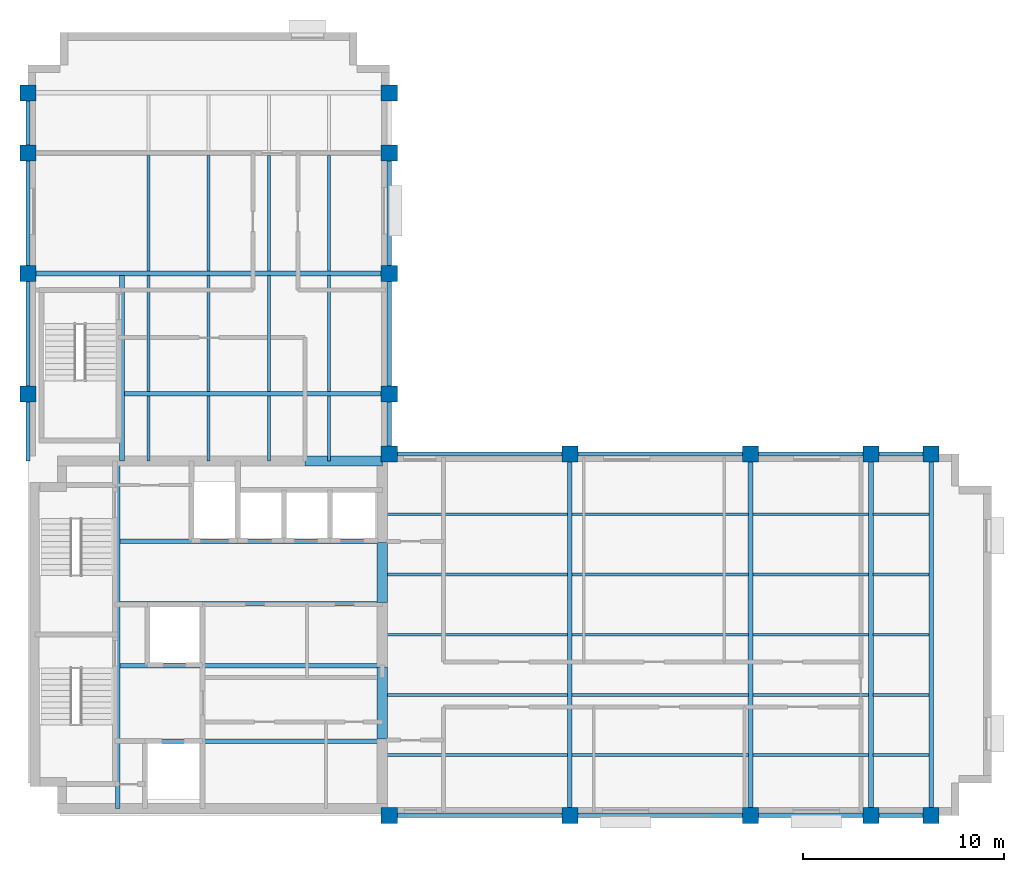
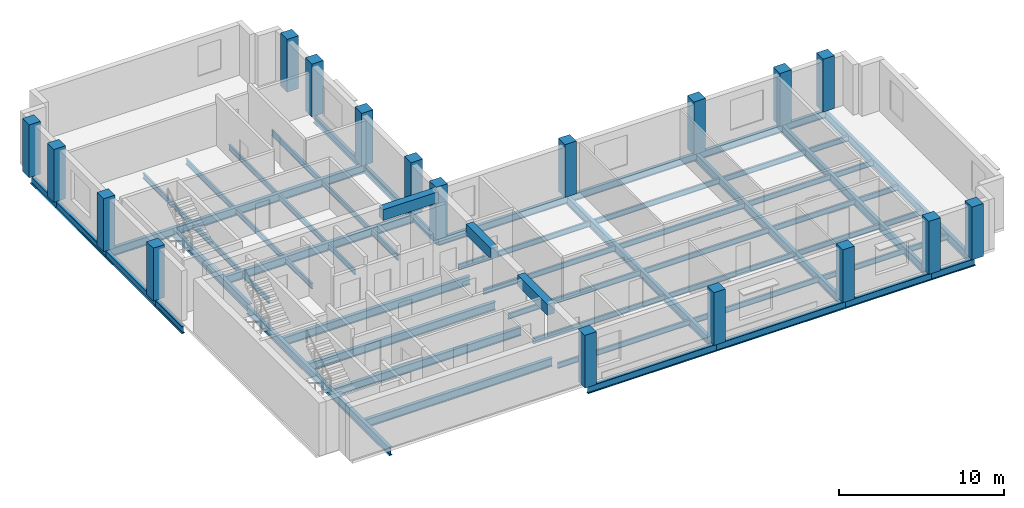
# One storey, part 1 of 6: 62 beams, 18 columns.
"""IFC4 building model written with IfcOpenShell, lengths in metres."""

from ifc_helpers import new_model, si_unit, direction, frame, origin, origin_2d, place, context, subcontext, project, spatial, rectangle, i_section, extrude, material, material_profile, profile_set, type_object, element, save


model = new_model("IFC4")

# Units and contexts
model_context = context("Model", 3, precision=1e-05, world=origin(), true_north=direction((0.0, 1.0)))
body_context = subcontext(model_context, "Body", "Model", "MODEL_VIEW")
ifc_project = project(units=[si_unit("LENGTHUNIT", "METRE"), si_unit("AREAUNIT", "SQUARE_METRE"), si_unit("VOLUMEUNIT", "CUBIC_METRE"), si_unit("PLANEANGLEUNIT", "RADIAN"), si_unit("MASSUNIT", "GRAM", prefix="KILO")], contexts=[model_context])

# Site, building, storey
site_placement = place(None, origin())
site = spatial("IfcSite", under=ifc_project, at=site_placement, CompositionType="ELEMENT")
building_placement = place(site_placement, origin())
building = spatial("IfcBuilding", under=site, at=building_placement, Name="Mawjdan Bourse Tower", CompositionType="ELEMENT")
storey_placement = place(building_placement, frame((0.0, 0.0, 231.300048828125)))
storey = spatial("IfcBuildingStorey", under=building, at=storey_placement, Name="L56", CompositionType="ELEMENT", Elevation=231.300048828125)

# Columns
ifc_material_1 = material(Name="Concrete C60/75", Category="concrete")
ifc_material_profile_1 = material_profile(ifc_material_1, rectangle(XDim=0.800048828125, YDim=0.800048828125, at=origin_2d()), Name="RC800X800")
ifc_profile_set_1 = profile_set([ifc_material_profile_1], Name="Concrete C60/75")
column_type = type_object("IfcColumnType", Name="COL-RC800X800", PredefinedType="COLUMN", material=ifc_profile_set_1)
for number, where, z_axis, x_axis, name in (
    (1, (24.0, 3.0, 0.0), (0.0, 0.0, 1.0), (1.0, 0.0, 0.0), "L56 Structural Column C-X240-Y30"),
    (2, (24.0, 21.0, 0.0), (0.0, 0.0, 1.0), (1.0, 0.0, 0.0), "L56 Structural Column C-X240-Y210"),
    (3, (33.0, 3.0, 0.0), (0.0, 0.0, 1.0), (1.0, 0.0, 0.0), "L56 Structural Column C-X330-Y30"),
    (4, (33.0, 21.0, 0.0), (0.0, 0.0, 1.0), (1.0, 0.0, 0.0), "L56 Structural Column C-X330-Y210"),
    (5, (42.0, 3.0, 0.0), (0.0, 0.0, 1.0), (1.0, 0.0, 0.0), "L56 Structural Column C-X420-Y30"),
    (6, (42.0, 21.0, 0.0), (0.0, 0.0, 1.0), (1.0, 0.0, 0.0), "L56 Structural Column C-X420-Y210"),
    (7, (48.0, 3.0, 0.0), (0.0, 0.0, 1.0), (1.0, 0.0, 0.0), "L56 Structural Column C-X480-Y30"),
    (8, (48.0, 21.0, 0.0), (0.0, 0.0, 1.0), (1.0, 0.0, 0.0), "L56 Structural Column C-X480-Y210"),
    (9, (51.0, 3.0, 0.0), (0.0, 0.0, 1.0), (1.0, 0.0, 0.0), "L56 Structural Column C-X510-Y30"),
    (10, (51.0, 21.0, 0.0), (0.0, 0.0, 1.0), (1.0, 0.0, 0.0), "L56 Structural Column C-X510-Y210"),
    (11, (6.0, 24.0, 0.0), (0.0, 0.0, 1.0), (1.0, 0.0, 0.0), "L56 Structural Column C-X60-Y240"),
    (12, (24.0, 24.0, 0.0), (0.0, 0.0, 1.0), (1.0, 0.0, 0.0), "L56 Structural Column C-X240-Y240"),
    (13, (6.0, 30.0, 0.0), (0.0, 0.0, 1.0), (1.0, 0.0, 0.0), "L56 Structural Column C-X60-Y300"),
    (14, (24.0, 30.0, 0.0), (0.0, 0.0, 1.0), (1.0, 0.0, 0.0), "L56 Structural Column C-X240-Y300"),
    (15, (6.0, 36.0, 0.0), (0.0, 0.0, 1.0), (1.0, 0.0, 0.0), "L56 Structural Column C-X60-Y360"),
    (16, (24.0, 36.0, 0.0), (0.0, 0.0, 1.0), (1.0, 0.0, 0.0), "L56 Structural Column C-X240-Y360"),
    (17, (6.0, 39.0, 0.0), (0.0, 0.0, 1.0), (1.0, 0.0, 0.0), "L56 Structural Column C-X60-Y390"),
    (18, (24.0, 39.0, 0.0), (0.0, 0.0, 1.0), (1.0, 0.0, 0.0), "L56 Structural Column C-X240-Y390"),
):
    element("IfcColumn", number, at=place(storey_placement, frame(where, z_axis=z_axis, x_axis=x_axis)), inside=storey, type_object=column_type, Name=name, PredefinedType="COLUMN", context=body_context, shape_type="SweptSolid", body=[
        extrude(rectangle(XDim=0.800048828125, YDim=0.800048828125, at=origin_2d()), origin(), (0.0, 0.0, 1.0), 3.89990234375),
    ])

# Beams
ifc_material_2 = material(Name="Structural Steel S355", Category="steel")
ifc_material_profile_2 = material_profile(ifc_material_2, i_section(OverallWidth=0.22998046875, OverallDepth=0.616943359375, WebThickness=0.01318359375, FlangeThickness=0.022216796875, FilletRadius=0.017822265625, at=origin_2d()), Name="W24X94")
ifc_profile_set_2 = profile_set([ifc_material_profile_2], Name="Structural Steel S355")
beam_type_1 = type_object("IfcBeamType", Name="GRD-W24X94", PredefinedType="BEAM", material=ifc_profile_set_2)
beam_1_placement = place(storey_placement, frame((10.47998046875, 3.35009765625, -0.508544921875), z_axis=(0.0, 1.0, 0.0), x_axis=(-1.0, 0.0, 0.0)))
element("IfcBeam", 19, at=beam_1_placement, inside=storey, type_object=beam_type_1, Name="L56 Core Stair Trimmer Girder 001", PredefinedType="BEAM", context=body_context, shape_type="SweptSolid", body=[
    extrude(i_section(OverallWidth=0.22998046875, OverallDepth=0.616943359375, WebThickness=0.01318359375, FlangeThickness=0.022216796875, FilletRadius=0.017822265625, at=origin_2d()), origin(), (0.0, 0.0, 1.0), 17.2998046875),
])
for number, where, z_axis, x_axis, name in (
    (20, (33.0, 3.0, -0.508544921875), (0.0, 1.0, 0.0), (-1.0, 0.0, 0.0), "L56 East Wing Clear-Span Girder 002"),
    (21, (42.0, 3.0, -0.508544921875), (0.0, 1.0, 0.0), (-1.0, 0.0, 0.0), "L56 East Wing Clear-Span Girder 003"),
    (22, (48.0, 3.0, -0.508544921875), (0.0, 1.0, 0.0), (-1.0, 0.0, 0.0), "L56 East Wing Clear-Span Girder 004"),
    (23, (51.0, 3.0, -0.508544921875), (0.0, 1.0, 0.0), (-1.0, 0.0, 0.0), "L56 East Wing Clear-Span Girder 005"),
):
    element("IfcBeam", number, at=place(storey_placement, frame(where, z_axis=z_axis, x_axis=x_axis)), inside=storey, type_object=beam_type_1, Name=name, PredefinedType="BEAM", context=body_context, shape_type="SweptSolid", body=[
        extrude(i_section(OverallWidth=0.22998046875, OverallDepth=0.616943359375, WebThickness=0.01318359375, FlangeThickness=0.022216796875, FilletRadius=0.017822265625, at=origin_2d()), origin(), (0.0, 0.0, 1.0), 18.0),
    ])
beam_2_placement = place(storey_placement, frame((10.679931640625, 20.64990234375, -0.508544921875), z_axis=(0.0, 1.0, 0.0), x_axis=(-1.0, 0.0, 0.0)))
element("IfcBeam", 24, at=beam_2_placement, inside=storey, type_object=beam_type_1, Name="L56 North Wing Stair Trimmer Girder 038", PredefinedType="BEAM", context=body_context, shape_type="SweptSolid", body=[
    extrude(i_section(OverallWidth=0.22998046875, OverallDepth=0.616943359375, WebThickness=0.01318359375, FlangeThickness=0.022216796875, FilletRadius=0.017822265625, at=origin_2d()), origin(), (0.0, 0.0, 1.0), 9.237060546875),
])
beam_3_placement = place(storey_placement, frame((10.79296875, 24.0, -0.508544921875), z_axis=(1.0, 0.0, 0.0), x_axis=(0.0, 1.0, 0.0)))
element("IfcBeam", 25, at=beam_3_placement, inside=storey, type_object=beam_type_1, Name="L56 North Wing Clear-Span Girder 039", PredefinedType="BEAM", context=body_context, shape_type="SweptSolid", body=[
    extrude(i_section(OverallWidth=0.22998046875, OverallDepth=0.616943359375, WebThickness=0.01318359375, FlangeThickness=0.022216796875, FilletRadius=0.017822265625, at=origin_2d()), origin(), (0.0, 0.0, 1.0), 13.20703125),
])
beam_4_placement = place(storey_placement, frame((6.0, 30.0, -0.508544921875), z_axis=(1.0, 0.0, 0.0), x_axis=(0.0, 1.0, 0.0)))
element("IfcBeam", 26, at=beam_4_placement, inside=storey, type_object=beam_type_1, Name="L56 North Wing Clear-Span Girder 040", PredefinedType="BEAM", context=body_context, shape_type="SweptSolid", body=[
    extrude(i_section(OverallWidth=0.22998046875, OverallDepth=0.616943359375, WebThickness=0.01318359375, FlangeThickness=0.022216796875, FilletRadius=0.017822265625, at=origin_2d()), origin(), (0.0, 0.0, 1.0), 18.0),
])
ifc_material_profile_3 = material_profile(ifc_material_2, i_section(OverallWidth=0.139892578125, OverallDepth=0.404052734375, WebThickness=0.007080078125, FlangeThickness=0.01123046875, FilletRadius=0.009033203125, at=origin_2d()), Name="W16X31")
ifc_profile_set_3 = profile_set([ifc_material_profile_3], Name="Structural Steel S355")
beam_type_2 = type_object("IfcBeamType", Name="JST-W16X31", PredefinedType="JOIST", material=ifc_profile_set_3)
beam_5_placement = place(storey_placement, frame((23.64990234375, 6.0, -0.402099609375), z_axis=(1.0, 0.0, 0.0), x_axis=(0.0, 1.0, 0.0)))
element("IfcBeam", 27, at=beam_5_placement, inside=storey, type_object=beam_type_2, Name="L56 East Wing Composite Joist 014", PredefinedType="JOIST", context=body_context, shape_type="SweptSolid", body=[
    extrude(i_section(OverallWidth=0.139892578125, OverallDepth=0.404052734375, WebThickness=0.007080078125, FlangeThickness=0.01123046875, FilletRadius=0.009033203125, at=origin_2d()), origin(), (0.0, 0.0, 1.0), 9.237060546875),
])
beam_6_placement = place(storey_placement, frame((33.113037109375, 6.0, -0.402099609375), z_axis=(1.0, 0.0, 0.0), x_axis=(0.0, 1.0, 0.0)))
element("IfcBeam", 28, at=beam_6_placement, inside=storey, type_object=beam_type_2, Name="L56 East Wing Composite Joist 015", PredefinedType="JOIST", context=body_context, shape_type="SweptSolid", body=[
    extrude(i_section(OverallWidth=0.139892578125, OverallDepth=0.404052734375, WebThickness=0.007080078125, FlangeThickness=0.01123046875, FilletRadius=0.009033203125, at=origin_2d()), origin(), (0.0, 0.0, 1.0), 8.77392578125),
])
beam_7_placement = place(storey_placement, frame((42.113037109375, 6.0, -0.402099609375), z_axis=(1.0, 0.0, 0.0), x_axis=(0.0, 1.0, 0.0)))
element("IfcBeam", 29, at=beam_7_placement, inside=storey, type_object=beam_type_2, Name="L56 East Wing Composite Joist 016", PredefinedType="JOIST", context=body_context, shape_type="SweptSolid", body=[
    extrude(i_section(OverallWidth=0.139892578125, OverallDepth=0.404052734375, WebThickness=0.007080078125, FlangeThickness=0.01123046875, FilletRadius=0.009033203125, at=origin_2d()), origin(), (0.0, 0.0, 1.0), 5.77392578125),
])
beam_8_placement = place(storey_placement, frame((48.113037109375, 6.0, -0.402099609375), z_axis=(1.0, 0.0, 0.0), x_axis=(0.0, 1.0, 0.0)))
element("IfcBeam", 30, at=beam_8_placement, inside=storey, type_object=beam_type_2, Name="L56 East Wing Composite Joist 017", PredefinedType="JOIST", context=body_context, shape_type="SweptSolid", body=[
    extrude(i_section(OverallWidth=0.139892578125, OverallDepth=0.404052734375, WebThickness=0.007080078125, FlangeThickness=0.01123046875, FilletRadius=0.009033203125, at=origin_2d()), origin(), (0.0, 0.0, 1.0), 2.77392578125),
])
beam_9_placement = place(storey_placement, frame((23.64990234375, 9.0, -0.402099609375), z_axis=(1.0, 0.0, 0.0), x_axis=(0.0, 1.0, 0.0)))
element("IfcBeam", 31, at=beam_9_placement, inside=storey, type_object=beam_type_2, Name="L56 East Wing Composite Joist 018", PredefinedType="JOIST", context=body_context, shape_type="SweptSolid", body=[
    extrude(i_section(OverallWidth=0.139892578125, OverallDepth=0.404052734375, WebThickness=0.007080078125, FlangeThickness=0.01123046875, FilletRadius=0.009033203125, at=origin_2d()), origin(), (0.0, 0.0, 1.0), 9.237060546875),
])
beam_10_placement = place(storey_placement, frame((33.113037109375, 9.0, -0.402099609375), z_axis=(1.0, 0.0, 0.0), x_axis=(0.0, 1.0, 0.0)))
element("IfcBeam", 32, at=beam_10_placement, inside=storey, type_object=beam_type_2, Name="L56 East Wing Composite Joist 019", PredefinedType="JOIST", context=body_context, shape_type="SweptSolid", body=[
    extrude(i_section(OverallWidth=0.139892578125, OverallDepth=0.404052734375, WebThickness=0.007080078125, FlangeThickness=0.01123046875, FilletRadius=0.009033203125, at=origin_2d()), origin(), (0.0, 0.0, 1.0), 8.77392578125),
])
beam_11_placement = place(storey_placement, frame((42.113037109375, 9.0, -0.402099609375), z_axis=(1.0, 0.0, 0.0), x_axis=(0.0, 1.0, 0.0)))
element("IfcBeam", 33, at=beam_11_placement, inside=storey, type_object=beam_type_2, Name="L56 East Wing Composite Joist 020", PredefinedType="JOIST", context=body_context, shape_type="SweptSolid", body=[
    extrude(i_section(OverallWidth=0.139892578125, OverallDepth=0.404052734375, WebThickness=0.007080078125, FlangeThickness=0.01123046875, FilletRadius=0.009033203125, at=origin_2d()), origin(), (0.0, 0.0, 1.0), 5.77392578125),
])
beam_12_placement = place(storey_placement, frame((48.113037109375, 9.0, -0.402099609375), z_axis=(1.0, 0.0, 0.0), x_axis=(0.0, 1.0, 0.0)))
element("IfcBeam", 34, at=beam_12_placement, inside=storey, type_object=beam_type_2, Name="L56 East Wing Composite Joist 021", PredefinedType="JOIST", context=body_context, shape_type="SweptSolid", body=[
    extrude(i_section(OverallWidth=0.139892578125, OverallDepth=0.404052734375, WebThickness=0.007080078125, FlangeThickness=0.01123046875, FilletRadius=0.009033203125, at=origin_2d()), origin(), (0.0, 0.0, 1.0), 2.77392578125),
])
beam_13_placement = place(storey_placement, frame((23.64990234375, 12.0, -0.402099609375), z_axis=(1.0, 0.0, 0.0), x_axis=(0.0, 1.0, 0.0)))
element("IfcBeam", 35, at=beam_13_placement, inside=storey, type_object=beam_type_2, Name="L56 East Wing Composite Joist 022", PredefinedType="JOIST", context=body_context, shape_type="SweptSolid", body=[
    extrude(i_section(OverallWidth=0.139892578125, OverallDepth=0.404052734375, WebThickness=0.007080078125, FlangeThickness=0.01123046875, FilletRadius=0.009033203125, at=origin_2d()), origin(), (0.0, 0.0, 1.0), 9.237060546875),
])
beam_14_placement = place(storey_placement, frame((33.113037109375, 12.0, -0.402099609375), z_axis=(1.0, 0.0, 0.0), x_axis=(0.0, 1.0, 0.0)))
element("IfcBeam", 36, at=beam_14_placement, inside=storey, type_object=beam_type_2, Name="L56 East Wing Composite Joist 023", PredefinedType="JOIST", context=body_context, shape_type="SweptSolid", body=[
    extrude(i_section(OverallWidth=0.139892578125, OverallDepth=0.404052734375, WebThickness=0.007080078125, FlangeThickness=0.01123046875, FilletRadius=0.009033203125, at=origin_2d()), origin(), (0.0, 0.0, 1.0), 8.77392578125),
])
beam_15_placement = place(storey_placement, frame((42.113037109375, 12.0, -0.402099609375), z_axis=(1.0, 0.0, 0.0), x_axis=(0.0, 1.0, 0.0)))
element("IfcBeam", 37, at=beam_15_placement, inside=storey, type_object=beam_type_2, Name="L56 East Wing Composite Joist 024", PredefinedType="JOIST", context=body_context, shape_type="SweptSolid", body=[
    extrude(i_section(OverallWidth=0.139892578125, OverallDepth=0.404052734375, WebThickness=0.007080078125, FlangeThickness=0.01123046875, FilletRadius=0.009033203125, at=origin_2d()), origin(), (0.0, 0.0, 1.0), 5.77392578125),
])
beam_16_placement = place(storey_placement, frame((48.113037109375, 12.0, -0.402099609375), z_axis=(1.0, 0.0, 0.0), x_axis=(0.0, 1.0, 0.0)))
element("IfcBeam", 38, at=beam_16_placement, inside=storey, type_object=beam_type_2, Name="L56 East Wing Composite Joist 025", PredefinedType="JOIST", context=body_context, shape_type="SweptSolid", body=[
    extrude(i_section(OverallWidth=0.139892578125, OverallDepth=0.404052734375, WebThickness=0.007080078125, FlangeThickness=0.01123046875, FilletRadius=0.009033203125, at=origin_2d()), origin(), (0.0, 0.0, 1.0), 2.77392578125),
])
beam_17_placement = place(storey_placement, frame((23.64990234375, 15.0, -0.402099609375), z_axis=(1.0, 0.0, 0.0), x_axis=(0.0, 1.0, 0.0)))
element("IfcBeam", 39, at=beam_17_placement, inside=storey, type_object=beam_type_2, Name="L56 East Wing Composite Joist 026", PredefinedType="JOIST", context=body_context, shape_type="SweptSolid", body=[
    extrude(i_section(OverallWidth=0.139892578125, OverallDepth=0.404052734375, WebThickness=0.007080078125, FlangeThickness=0.01123046875, FilletRadius=0.009033203125, at=origin_2d()), origin(), (0.0, 0.0, 1.0), 9.237060546875),
])
beam_18_placement = place(storey_placement, frame((33.113037109375, 15.0, -0.402099609375), z_axis=(1.0, 0.0, 0.0), x_axis=(0.0, 1.0, 0.0)))
element("IfcBeam", 40, at=beam_18_placement, inside=storey, type_object=beam_type_2, Name="L56 East Wing Composite Joist 027", PredefinedType="JOIST", context=body_context, shape_type="SweptSolid", body=[
    extrude(i_section(OverallWidth=0.139892578125, OverallDepth=0.404052734375, WebThickness=0.007080078125, FlangeThickness=0.01123046875, FilletRadius=0.009033203125, at=origin_2d()), origin(), (0.0, 0.0, 1.0), 8.77392578125),
])
beam_19_placement = place(storey_placement, frame((42.113037109375, 15.0, -0.402099609375), z_axis=(1.0, 0.0, 0.0), x_axis=(0.0, 1.0, 0.0)))
element("IfcBeam", 41, at=beam_19_placement, inside=storey, type_object=beam_type_2, Name="L56 East Wing Composite Joist 028", PredefinedType="JOIST", context=body_context, shape_type="SweptSolid", body=[
    extrude(i_section(OverallWidth=0.139892578125, OverallDepth=0.404052734375, WebThickness=0.007080078125, FlangeThickness=0.01123046875, FilletRadius=0.009033203125, at=origin_2d()), origin(), (0.0, 0.0, 1.0), 5.77392578125),
])
beam_20_placement = place(storey_placement, frame((48.113037109375, 15.0, -0.402099609375), z_axis=(1.0, 0.0, 0.0), x_axis=(0.0, 1.0, 0.0)))
element("IfcBeam", 42, at=beam_20_placement, inside=storey, type_object=beam_type_2, Name="L56 East Wing Composite Joist 029", PredefinedType="JOIST", context=body_context, shape_type="SweptSolid", body=[
    extrude(i_section(OverallWidth=0.139892578125, OverallDepth=0.404052734375, WebThickness=0.007080078125, FlangeThickness=0.01123046875, FilletRadius=0.009033203125, at=origin_2d()), origin(), (0.0, 0.0, 1.0), 2.77392578125),
])
beam_21_placement = place(storey_placement, frame((23.64990234375, 18.0, -0.402099609375), z_axis=(1.0, 0.0, 0.0), x_axis=(0.0, 1.0, 0.0)))
element("IfcBeam", 43, at=beam_21_placement, inside=storey, type_object=beam_type_2, Name="L56 East Wing Composite Joist 030", PredefinedType="JOIST", context=body_context, shape_type="SweptSolid", body=[
    extrude(i_section(OverallWidth=0.139892578125, OverallDepth=0.404052734375, WebThickness=0.007080078125, FlangeThickness=0.01123046875, FilletRadius=0.009033203125, at=origin_2d()), origin(), (0.0, 0.0, 1.0), 9.237060546875),
])
beam_22_placement = place(storey_placement, frame((33.113037109375, 18.0, -0.402099609375), z_axis=(1.0, 0.0, 0.0), x_axis=(0.0, 1.0, 0.0)))
element("IfcBeam", 44, at=beam_22_placement, inside=storey, type_object=beam_type_2, Name="L56 East Wing Composite Joist 031", PredefinedType="JOIST", context=body_context, shape_type="SweptSolid", body=[
    extrude(i_section(OverallWidth=0.139892578125, OverallDepth=0.404052734375, WebThickness=0.007080078125, FlangeThickness=0.01123046875, FilletRadius=0.009033203125, at=origin_2d()), origin(), (0.0, 0.0, 1.0), 8.77392578125),
])
beam_23_placement = place(storey_placement, frame((42.113037109375, 18.0, -0.402099609375), z_axis=(1.0, 0.0, 0.0), x_axis=(0.0, 1.0, 0.0)))
element("IfcBeam", 45, at=beam_23_placement, inside=storey, type_object=beam_type_2, Name="L56 East Wing Composite Joist 032", PredefinedType="JOIST", context=body_context, shape_type="SweptSolid", body=[
    extrude(i_section(OverallWidth=0.139892578125, OverallDepth=0.404052734375, WebThickness=0.007080078125, FlangeThickness=0.01123046875, FilletRadius=0.009033203125, at=origin_2d()), origin(), (0.0, 0.0, 1.0), 5.77392578125),
])
beam_24_placement = place(storey_placement, frame((48.113037109375, 18.0, -0.402099609375), z_axis=(1.0, 0.0, 0.0), x_axis=(0.0, 1.0, 0.0)))
element("IfcBeam", 46, at=beam_24_placement, inside=storey, type_object=beam_type_2, Name="L56 East Wing Composite Joist 033", PredefinedType="JOIST", context=body_context, shape_type="SweptSolid", body=[
    extrude(i_section(OverallWidth=0.139892578125, OverallDepth=0.404052734375, WebThickness=0.007080078125, FlangeThickness=0.01123046875, FilletRadius=0.009033203125, at=origin_2d()), origin(), (0.0, 0.0, 1.0), 2.77392578125),
])
beam_25_placement = place(storey_placement, frame((12.0, 20.64990234375, -0.402099609375), z_axis=(0.0, 1.0, 0.0), x_axis=(-1.0, 0.0, 0.0)))
element("IfcBeam", 47, at=beam_25_placement, inside=storey, type_object=beam_type_2, Name="L56 North Wing Composite Joist 051", PredefinedType="JOIST", context=body_context, shape_type="SweptSolid", body=[
    extrude(i_section(OverallWidth=0.139892578125, OverallDepth=0.404052734375, WebThickness=0.007080078125, FlangeThickness=0.01123046875, FilletRadius=0.009033203125, at=origin_2d()), origin(), (0.0, 0.0, 1.0), 3.237060546875),
])
for number, where, z_axis, x_axis, name in (
    (48, (12.0, 24.113037109375, -0.402099609375), (0.0, 1.0, 0.0), (-1.0, 0.0, 0.0), "L56 North Wing Composite Joist 052"),
    (49, (12.0, 30.113037109375, -0.402099609375), (0.0, 1.0, 0.0), (-1.0, 0.0, 0.0), "L56 North Wing Composite Joist 053"),
):
    element("IfcBeam", number, at=place(storey_placement, frame(where, z_axis=z_axis, x_axis=x_axis)), inside=storey, type_object=beam_type_2, Name=name, PredefinedType="JOIST", context=body_context, shape_type="SweptSolid", body=[
        extrude(i_section(OverallWidth=0.139892578125, OverallDepth=0.404052734375, WebThickness=0.007080078125, FlangeThickness=0.01123046875, FilletRadius=0.009033203125, at=origin_2d()), origin(), (0.0, 0.0, 1.0), 5.77392578125),
    ])
beam_26_placement = place(storey_placement, frame((15.0, 20.64990234375, -0.402099609375), z_axis=(0.0, 1.0, 0.0), x_axis=(-1.0, 0.0, 0.0)))
element("IfcBeam", 50, at=beam_26_placement, inside=storey, type_object=beam_type_2, Name="L56 North Wing Composite Joist 055", PredefinedType="JOIST", context=body_context, shape_type="SweptSolid", body=[
    extrude(i_section(OverallWidth=0.139892578125, OverallDepth=0.404052734375, WebThickness=0.007080078125, FlangeThickness=0.01123046875, FilletRadius=0.009033203125, at=origin_2d()), origin(), (0.0, 0.0, 1.0), 3.237060546875),
])
for number, where, z_axis, x_axis, name in (
    (51, (15.0, 24.113037109375, -0.402099609375), (0.0, 1.0, 0.0), (-1.0, 0.0, 0.0), "L56 North Wing Composite Joist 056"),
    (52, (15.0, 30.113037109375, -0.402099609375), (0.0, 1.0, 0.0), (-1.0, 0.0, 0.0), "L56 North Wing Composite Joist 057"),
):
    element("IfcBeam", number, at=place(storey_placement, frame(where, z_axis=z_axis, x_axis=x_axis)), inside=storey, type_object=beam_type_2, Name=name, PredefinedType="JOIST", context=body_context, shape_type="SweptSolid", body=[
        extrude(i_section(OverallWidth=0.139892578125, OverallDepth=0.404052734375, WebThickness=0.007080078125, FlangeThickness=0.01123046875, FilletRadius=0.009033203125, at=origin_2d()), origin(), (0.0, 0.0, 1.0), 5.77392578125),
    ])
beam_27_placement = place(storey_placement, frame((18.0, 20.64990234375, -0.402099609375), z_axis=(0.0, 1.0, 0.0), x_axis=(-1.0, 0.0, 0.0)))
element("IfcBeam", 53, at=beam_27_placement, inside=storey, type_object=beam_type_2, Name="L56 North Wing Composite Joist 059", PredefinedType="JOIST", context=body_context, shape_type="SweptSolid", body=[
    extrude(i_section(OverallWidth=0.139892578125, OverallDepth=0.404052734375, WebThickness=0.007080078125, FlangeThickness=0.01123046875, FilletRadius=0.009033203125, at=origin_2d()), origin(), (0.0, 0.0, 1.0), 3.237060546875),
])
for number, where, z_axis, x_axis, name in (
    (54, (18.0, 24.113037109375, -0.402099609375), (0.0, 1.0, 0.0), (-1.0, 0.0, 0.0), "L56 North Wing Composite Joist 060"),
    (55, (18.0, 30.113037109375, -0.402099609375), (0.0, 1.0, 0.0), (-1.0, 0.0, 0.0), "L56 North Wing Composite Joist 061"),
):
    element("IfcBeam", number, at=place(storey_placement, frame(where, z_axis=z_axis, x_axis=x_axis)), inside=storey, type_object=beam_type_2, Name=name, PredefinedType="JOIST", context=body_context, shape_type="SweptSolid", body=[
        extrude(i_section(OverallWidth=0.139892578125, OverallDepth=0.404052734375, WebThickness=0.007080078125, FlangeThickness=0.01123046875, FilletRadius=0.009033203125, at=origin_2d()), origin(), (0.0, 0.0, 1.0), 5.77392578125),
    ])
beam_28_placement = place(storey_placement, frame((21.0, 20.64990234375, -0.402099609375), z_axis=(0.0, 1.0, 0.0), x_axis=(-1.0, 0.0, 0.0)))
element("IfcBeam", 56, at=beam_28_placement, inside=storey, type_object=beam_type_2, Name="L56 North Wing Composite Joist 063", PredefinedType="JOIST", context=body_context, shape_type="SweptSolid", body=[
    extrude(i_section(OverallWidth=0.139892578125, OverallDepth=0.404052734375, WebThickness=0.007080078125, FlangeThickness=0.01123046875, FilletRadius=0.009033203125, at=origin_2d()), origin(), (0.0, 0.0, 1.0), 3.237060546875),
])
for number, where, z_axis, x_axis, name in (
    (57, (21.0, 24.113037109375, -0.402099609375), (0.0, 1.0, 0.0), (-1.0, 0.0, 0.0), "L56 North Wing Composite Joist 064"),
    (58, (21.0, 30.113037109375, -0.402099609375), (0.0, 1.0, 0.0), (-1.0, 0.0, 0.0), "L56 North Wing Composite Joist 065"),
):
    element("IfcBeam", number, at=place(storey_placement, frame(where, z_axis=z_axis, x_axis=x_axis)), inside=storey, type_object=beam_type_2, Name=name, PredefinedType="JOIST", context=body_context, shape_type="SweptSolid", body=[
        extrude(i_section(OverallWidth=0.139892578125, OverallDepth=0.404052734375, WebThickness=0.007080078125, FlangeThickness=0.01123046875, FilletRadius=0.009033203125, at=origin_2d()), origin(), (0.0, 0.0, 1.0), 5.77392578125),
    ])
ifc_material_profile_4 = material_profile(ifc_material_2, i_section(OverallWidth=0.22998046875, OverallDepth=0.616943359375, WebThickness=0.01318359375, FlangeThickness=0.022216796875, FilletRadius=0.017822265625, at=origin_2d()), Name="W24X94")
ifc_profile_set_4 = profile_set([ifc_material_profile_4], Name="Structural Steel S355")
beam_type_3 = type_object("IfcBeamType", Name="JST-W24X94", PredefinedType="JOIST", material=ifc_profile_set_4)
for number, where, z_axis, x_axis, name in (
    (59, (10.593017578125, 6.699951171875, -0.508544921875), (1.0, 0.0, 0.0), (0.0, 1.0, 0.0), "L56 Core Floor Joist 034"),
    (60, (10.593017578125, 10.449951171875, -0.508544921875), (1.0, 0.0, 0.0), (0.0, 1.0, 0.0), "L56 Core Floor Joist 035"),
    (61, (10.593017578125, 13.550048828125, -0.508544921875), (1.0, 0.0, 0.0), (0.0, 1.0, 0.0), "L56 Core Floor Joist 036"),
    (62, (10.593017578125, 16.64990234375, -0.508544921875), (1.0, 0.0, 0.0), (0.0, 1.0, 0.0), "L56 Core Floor Joist 037"),
):
    element("IfcBeam", number, at=place(storey_placement, frame(where, z_axis=z_axis, x_axis=x_axis)), inside=storey, type_object=beam_type_3, Name=name, PredefinedType="JOIST", context=body_context, shape_type="SweptSolid", body=[
        extrude(i_section(OverallWidth=0.22998046875, OverallDepth=0.616943359375, WebThickness=0.01318359375, FlangeThickness=0.022216796875, FilletRadius=0.017822265625, at=origin_2d()), origin(), (0.0, 0.0, 1.0), 13.056884765625),
    ])
ifc_material_3 = material(Name="Concrete C70/85", Category="concrete")
ifc_material_profile_5 = material_profile(ifc_material_3, rectangle(XDim=0.5, YDim=0.800048828125, at=origin_2d()), Name="RCB500X800")
ifc_profile_set_5 = profile_set([ifc_material_profile_5], Name="Concrete C70/85")
beam_type_4 = type_object("IfcBeamType", Name="LNT-RCB500X800", PredefinedType="LINTEL", material=ifc_profile_set_5)
beam_29_placement = place(storey_placement, frame((23.64990234375, 6.800048828125, 3.300048828125), z_axis=(0.0, 1.0, 0.0), x_axis=(-1.0, 0.0, 0.0)))
element("IfcBeam", 63, at=beam_29_placement, inside=storey, type_object=beam_type_4, Name="L56 Coupled Core Lintel CB-E1", PredefinedType="LINTEL", context=body_context, shape_type="SweptSolid", body=[
    extrude(rectangle(XDim=0.5, YDim=0.800048828125, at=origin_2d()), origin(), (0.0, 0.0, 1.0), 3.599853515625),
])
beam_30_placement = place(storey_placement, frame((23.64990234375, 13.60009765625, 3.300048828125), z_axis=(0.0, 1.0, 0.0), x_axis=(-1.0, 0.0, 0.0)))
element("IfcBeam", 64, at=beam_30_placement, inside=storey, type_object=beam_type_4, Name="L56 Coupled Core Lintel CB-E2", PredefinedType="LINTEL", context=body_context, shape_type="SweptSolid", body=[
    extrude(rectangle(XDim=0.5, YDim=0.800048828125, at=origin_2d()), origin(), (0.0, 0.0, 1.0), 3.0),
])
beam_31_placement = place(storey_placement, frame((19.800048828125, 20.64990234375, 3.300048828125), z_axis=(1.0, 0.0, 0.0), x_axis=(0.0, 1.0, 0.0)))
element("IfcBeam", 65, at=beam_31_placement, inside=storey, type_object=beam_type_4, Name="L56 Coupled Core Lintel CB-N1", PredefinedType="LINTEL", context=body_context, shape_type="SweptSolid", body=[
    extrude(rectangle(XDim=0.5, YDim=0.800048828125, at=origin_2d()), origin(), (0.0, 0.0, 1.0), 3.849853515625),
])
ifc_material_profile_6 = material_profile(ifc_material_2, i_section(OverallWidth=0.2099609375, OverallDepth=0.537109375, WebThickness=0.010986328125, FlangeThickness=0.017333984375, FilletRadius=0.013916015625, at=origin_2d()), Name="W21X68")
ifc_profile_set_6 = profile_set([ifc_material_profile_6], Name="Structural Steel S355")
beam_type_5 = type_object("IfcBeamType", Name="SPN-W21X68", PredefinedType="SPANDREL", material=ifc_profile_set_6)
for number, where, z_axis, x_axis, name in (
    (66, (24.0, 3.0, -0.468505859375), (1.0, 0.0, 0.0), (0.0, 1.0, 0.0), "L56 Perimeter Masonry-Shelf Spandrel 006"),
    (67, (33.0, 3.0, -0.468505859375), (1.0, 0.0, 0.0), (0.0, 1.0, 0.0), "L56 Perimeter Masonry-Shelf Spandrel 007"),
):
    element("IfcBeam", number, at=place(storey_placement, frame(where, z_axis=z_axis, x_axis=x_axis)), inside=storey, type_object=beam_type_5, Name=name, PredefinedType="SPANDREL", context=body_context, shape_type="SweptSolid", body=[
        extrude(i_section(OverallWidth=0.2099609375, OverallDepth=0.537109375, WebThickness=0.010986328125, FlangeThickness=0.017333984375, FilletRadius=0.013916015625, at=origin_2d()), origin(), (0.0, 0.0, 1.0), 9.0),
    ])
beam_32_placement = place(storey_placement, frame((42.0, 3.0, -0.468505859375), z_axis=(1.0, 0.0, 0.0), x_axis=(0.0, 1.0, 0.0)))
element("IfcBeam", 68, at=beam_32_placement, inside=storey, type_object=beam_type_5, Name="L56 Perimeter Masonry-Shelf Spandrel 008", PredefinedType="SPANDREL", context=body_context, shape_type="SweptSolid", body=[
    extrude(i_section(OverallWidth=0.2099609375, OverallDepth=0.537109375, WebThickness=0.010986328125, FlangeThickness=0.017333984375, FilletRadius=0.013916015625, at=origin_2d()), origin(), (0.0, 0.0, 1.0), 6.0),
])
beam_33_placement = place(storey_placement, frame((48.0, 3.0, -0.468505859375), z_axis=(1.0, 0.0, 0.0), x_axis=(0.0, 1.0, 0.0)))
element("IfcBeam", 69, at=beam_33_placement, inside=storey, type_object=beam_type_5, Name="L56 Perimeter Masonry-Shelf Spandrel 009", PredefinedType="SPANDREL", context=body_context, shape_type="SweptSolid", body=[
    extrude(i_section(OverallWidth=0.2099609375, OverallDepth=0.537109375, WebThickness=0.010986328125, FlangeThickness=0.017333984375, FilletRadius=0.013916015625, at=origin_2d()), origin(), (0.0, 0.0, 1.0), 3.0),
])
for number, where, z_axis, x_axis, name in (
    (70, (24.0, 21.0, -0.468505859375), (1.0, 0.0, 0.0), (0.0, 1.0, 0.0), "L56 Perimeter Masonry-Shelf Spandrel 010"),
    (71, (33.0, 21.0, -0.468505859375), (1.0, 0.0, 0.0), (0.0, 1.0, 0.0), "L56 Perimeter Masonry-Shelf Spandrel 011"),
):
    element("IfcBeam", number, at=place(storey_placement, frame(where, z_axis=z_axis, x_axis=x_axis)), inside=storey, type_object=beam_type_5, Name=name, PredefinedType="SPANDREL", context=body_context, shape_type="SweptSolid", body=[
        extrude(i_section(OverallWidth=0.2099609375, OverallDepth=0.537109375, WebThickness=0.010986328125, FlangeThickness=0.017333984375, FilletRadius=0.013916015625, at=origin_2d()), origin(), (0.0, 0.0, 1.0), 9.0),
    ])
beam_34_placement = place(storey_placement, frame((42.0, 21.0, -0.468505859375), z_axis=(1.0, 0.0, 0.0), x_axis=(0.0, 1.0, 0.0)))
element("IfcBeam", 72, at=beam_34_placement, inside=storey, type_object=beam_type_5, Name="L56 Perimeter Masonry-Shelf Spandrel 012", PredefinedType="SPANDREL", context=body_context, shape_type="SweptSolid", body=[
    extrude(i_section(OverallWidth=0.2099609375, OverallDepth=0.537109375, WebThickness=0.010986328125, FlangeThickness=0.017333984375, FilletRadius=0.013916015625, at=origin_2d()), origin(), (0.0, 0.0, 1.0), 6.0),
])
beam_35_placement = place(storey_placement, frame((48.0, 21.0, -0.468505859375), z_axis=(1.0, 0.0, 0.0), x_axis=(0.0, 1.0, 0.0)))
element("IfcBeam", 73, at=beam_35_placement, inside=storey, type_object=beam_type_5, Name="L56 Perimeter Masonry-Shelf Spandrel 013", PredefinedType="SPANDREL", context=body_context, shape_type="SweptSolid", body=[
    extrude(i_section(OverallWidth=0.2099609375, OverallDepth=0.537109375, WebThickness=0.010986328125, FlangeThickness=0.017333984375, FilletRadius=0.013916015625, at=origin_2d()), origin(), (0.0, 0.0, 1.0), 3.0),
])
beam_36_placement = place(storey_placement, frame((6.0, 20.64990234375, -0.468505859375), z_axis=(0.0, 1.0, 0.0), x_axis=(-1.0, 0.0, 0.0)))
element("IfcBeam", 74, at=beam_36_placement, inside=storey, type_object=beam_type_5, Name="L56 North Wing Spandrel 043", PredefinedType="SPANDREL", context=body_context, shape_type="SweptSolid", body=[
    extrude(i_section(OverallWidth=0.2099609375, OverallDepth=0.537109375, WebThickness=0.010986328125, FlangeThickness=0.017333984375, FilletRadius=0.013916015625, at=origin_2d()), origin(), (0.0, 0.0, 1.0), 3.35009765625),
])
for number, where, z_axis, x_axis, name in (
    (75, (6.0, 24.0, -0.468505859375), (0.0, 1.0, 0.0), (-1.0, 0.0, 0.0), "L56 North Wing Spandrel 044"),
    (76, (6.0, 30.0, -0.468505859375), (0.0, 1.0, 0.0), (-1.0, 0.0, 0.0), "L56 North Wing Spandrel 045"),
):
    element("IfcBeam", number, at=place(storey_placement, frame(where, z_axis=z_axis, x_axis=x_axis)), inside=storey, type_object=beam_type_5, Name=name, PredefinedType="SPANDREL", context=body_context, shape_type="SweptSolid", body=[
        extrude(i_section(OverallWidth=0.2099609375, OverallDepth=0.537109375, WebThickness=0.010986328125, FlangeThickness=0.017333984375, FilletRadius=0.013916015625, at=origin_2d()), origin(), (0.0, 0.0, 1.0), 6.0),
    ])
for number, where, z_axis, x_axis, name in (
    (77, (6.0, 36.0, -0.468505859375), (0.0, 1.0, 0.0), (-1.0, 0.0, 0.0), "L56 North Wing Spandrel 046"),
    (78, (24.0, 21.0, -0.468505859375), (0.0, 1.0, 0.0), (-1.0, 0.0, 0.0), "L56 North Wing Spandrel 047"),
):
    element("IfcBeam", number, at=place(storey_placement, frame(where, z_axis=z_axis, x_axis=x_axis)), inside=storey, type_object=beam_type_5, Name=name, PredefinedType="SPANDREL", context=body_context, shape_type="SweptSolid", body=[
        extrude(i_section(OverallWidth=0.2099609375, OverallDepth=0.537109375, WebThickness=0.010986328125, FlangeThickness=0.017333984375, FilletRadius=0.013916015625, at=origin_2d()), origin(), (0.0, 0.0, 1.0), 3.0),
    ])
for number, where, z_axis, x_axis, name in (
    (79, (24.0, 24.0, -0.468505859375), (0.0, 1.0, 0.0), (-1.0, 0.0, 0.0), "L56 North Wing Spandrel 048"),
    (80, (24.0, 30.0, -0.468505859375), (0.0, 1.0, 0.0), (-1.0, 0.0, 0.0), "L56 North Wing Spandrel 049"),
):
    element("IfcBeam", number, at=place(storey_placement, frame(where, z_axis=z_axis, x_axis=x_axis)), inside=storey, type_object=beam_type_5, Name=name, PredefinedType="SPANDREL", context=body_context, shape_type="SweptSolid", body=[
        extrude(i_section(OverallWidth=0.2099609375, OverallDepth=0.537109375, WebThickness=0.010986328125, FlangeThickness=0.017333984375, FilletRadius=0.013916015625, at=origin_2d()), origin(), (0.0, 0.0, 1.0), 6.0),
    ])

save(model, "model.ifc")
